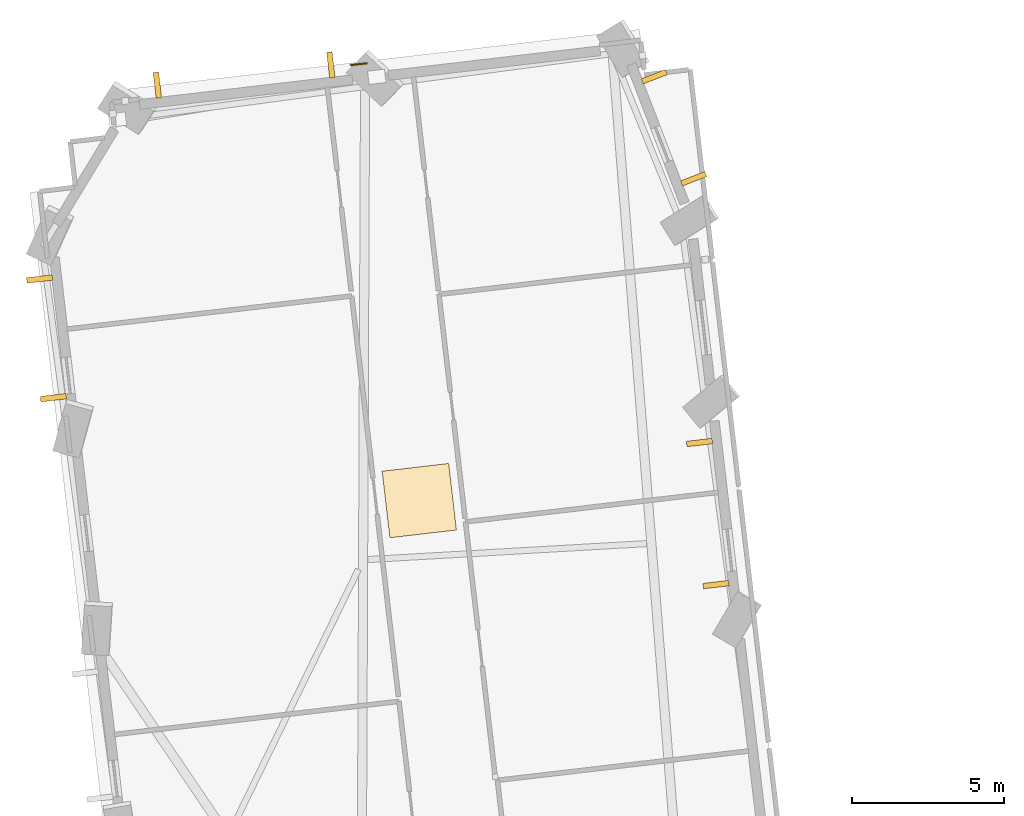
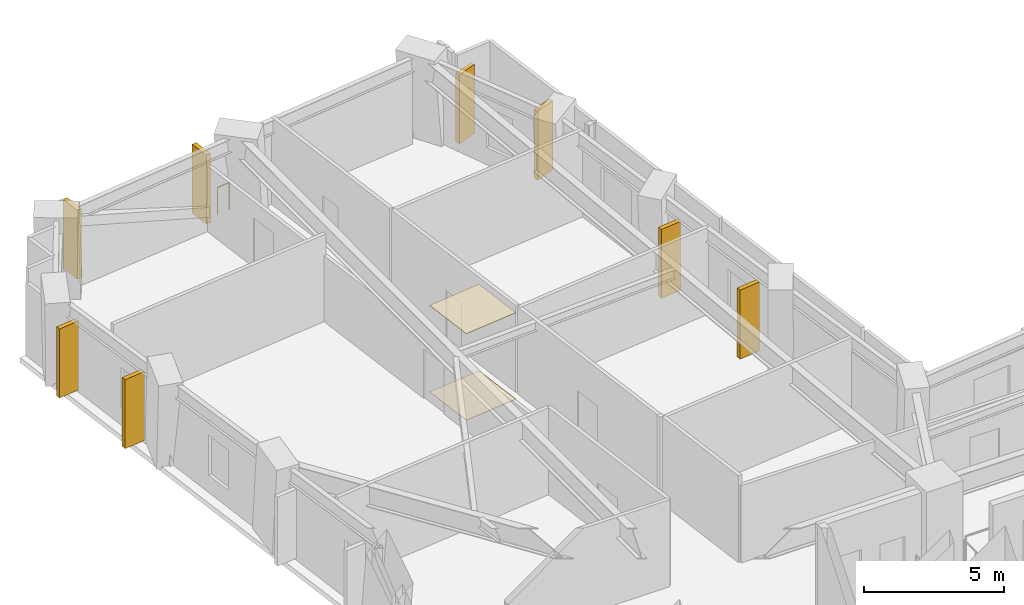
# One storey, part 14 of 14: 8 shading devices, 2 coverings, 1 railing.
"""IFC4 building model written with IfcOpenShell, lengths in metres."""

from ifc_helpers import new_model, si_unit, direction, frame, origin, origin_2d, place, context, subcontext, project, spatial, rectangle, circle, extrude, material, layer, layer_set, type_object, element, save


model = new_model("IFC4")

# Units and contexts
model_context = context("Model", 3, precision=1e-05, world=origin(), true_north=direction((0.0, 1.0)))
body_context = subcontext(model_context, "Body", "Model", "MODEL_VIEW")
ifc_project = project(units=[si_unit("LENGTHUNIT", "METRE"), si_unit("AREAUNIT", "SQUARE_METRE"), si_unit("VOLUMEUNIT", "CUBIC_METRE"), si_unit("PLANEANGLEUNIT", "RADIAN"), si_unit("MASSUNIT", "GRAM", prefix="KILO")], contexts=[model_context])

# Site, building, storey
site_placement = place(None, origin())
site = spatial("IfcSite", under=ifc_project, at=site_placement, CompositionType="ELEMENT")
building_placement = place(site_placement, origin())
building = spatial("IfcBuilding", under=site, at=building_placement, Name="Gaonmaruhae Medical Tower", CompositionType="ELEMENT")
storey_placement = place(building_placement, frame((0.0, 0.0, 51.0)))
storey = spatial("IfcBuildingStorey", under=building, at=storey_placement, Name="L11", CompositionType="ELEMENT", Elevation=51.0)

# Coverings
ifc_material_1 = material(Name="Acoustic mineral ceiling tile", Category="finish")
ifc_layer_1 = layer(ifc_material_1, 0.02490234375)
ifc_layer_set_1 = layer_set([ifc_layer_1], Name="Acoustic mineral ceiling tile")
covering_type_1 = type_object("IfcCoveringType", Name="CLG-01 Antimicrobial Acoustic Mineral Ceiling", PredefinedType="CEILING", material=ifc_layer_set_1)
covering_1_placement = place(storey_placement, frame((15.90771484375, 34.283203125, 3.755126953125), z_axis=(0.0, 0.0, 1.0), x_axis=(0.993272085779, 0.115803987891, 0.0)))
element("IfcCovering", 1, at=covering_1_placement, inside=storey, type_object=covering_type_1, Name="L11 Clinical Corridor Acoustic Ceiling", PredefinedType="CEILING", context=body_context, shape_type="SweptSolid", body=[
    extrude(rectangle(XDim=2.199951171875, YDim=2.199951171875, at=origin_2d()), origin(), (0.0, 0.0, 1.0), 0.02490234375),
])
ifc_material_2 = material(Name="Seamless clinical vinyl flooring", Category="finish")
ifc_layer_2 = layer(ifc_material_2, 0.014892578125)
ifc_layer_set_2 = layer_set([ifc_layer_2], Name="Seamless clinical vinyl flooring")
covering_type_2 = type_object("IfcCoveringType", Name="FLR-01 Seamless Clinical Antistatic Vinyl Flooring", PredefinedType="FLOORING", material=ifc_layer_set_2)
covering_2_placement = place(storey_placement, frame((15.90771484375, 34.283203125, 0.00048828125), z_axis=(0.0, 0.0, 1.0), x_axis=(0.993272085779, 0.115803987891, 0.0)))
element("IfcCovering", 2, at=covering_2_placement, inside=storey, type_object=covering_type_2, Name="L11 Clinical Corridor Vinyl Flooring", PredefinedType="FLOORING", context=body_context, shape_type="SweptSolid", body=[
    extrude(rectangle(XDim=2.199951171875, YDim=2.199951171875, at=origin_2d()), origin(), (0.0, 0.0, 1.0), 0.014892578125),
])

# Railing
ifc_material_3 = material(Name="Stainless steel 316L and laminated safety glass", Category="steel")
ifc_layer_3 = layer(ifc_material_3, 0.080078125)
ifc_layer_set_3 = layer_set([ifc_layer_3], Name="Stainless steel 316L and laminated safety glass")
railing_type = type_object("IfcRailingType", Name="GD-120 Outdoor Terrace Safety Glass & Steel Balustrade", PredefinedType="BALUSTRADE", material=ifc_layer_set_3)
railing_placement = place(storey_placement, frame((13.66748046875, 48.581787109375, 0.0)))
element("IfcRailing", 3, at=railing_placement, inside=storey, type_object=railing_type, Name="L11 Perimeter Slab Edge Safety Balustrade 02", PredefinedType="BALUSTRADE", context=body_context, shape_type="SweptSolid", body=[
    extrude(circle(Radius=0.02392578125, at=origin_2d()), frame((0.0, 0.0, 1.17578125), z_axis=(0.993294784379, 0.115609131674, 0.0), x_axis=(-0.115609131674, 0.993294784379, 0.0)), (0.0, 0.0, 1.0), 0.517333984375),
    extrude(circle(Radius=0.02099609375, at=origin_2d()), origin(), (0.0, 0.0, 1.0), 1.15185546875),
    extrude(circle(Radius=0.02099609375, at=origin_2d()), frame((0.513916015625, 0.059814453125, 0.0)), (0.0, 0.0, 1.0), 1.15185546875),
])

# Shading devices
ifc_material_4 = material(Name="Pigmented coral precast concrete C45/55", Category="concrete")
shading_device_type = type_object("IfcShadingDeviceType", Name="SD-FIN1 Tower Vertical Coral Precast Shading Fin", PredefinedType="USERDEFINED", material=ifc_material_4)
for number, where, z_axis, x_axis, name in (
    (4, (25.652587890625, 31.52587890625, 0.08251953125), (0.0, 0.0, 1.0), (-0.115803987891, 0.993272085779, 0.0), "L11 Vertical Coral Precast Shading Fin NE01"),
    (5, (25.10888671875, 36.190673828125, 0.08251953125), (0.0, 0.0, 1.0), (-0.115803987891, 0.993272085779, 0.0), "L11 Vertical Coral Precast Shading Fin NE01B"),
    (6, (23.625732421875, 48.200927734375, 0.08251953125), (0.0, 0.0, 1.0), (0.358873012687, -0.933386394139, 0.0), "L11 Vertical Coral Precast Shading Fin NE03"),
    (7, (24.913818359375, 44.850830078125, 0.08251953125), (0.0, 0.0, 1.0), (0.358873012687, -0.933386394139, 0.0), "L11 Vertical Coral Precast Shading Fin NE03B"),
    (8, (7.30810546875, 47.92578125, 0.08251953125), (0.0, 0.0, 1.0), (0.993270064467, 0.115821323742, 0.0), "L11 Vertical Coral Precast Shading Fin N02"),
    (9, (13.004150390625, 48.590087890625, 0.08251953125), (0.0, 0.0, 1.0), (0.993270064467, 0.115821323742, 0.0), "L11 Vertical Coral Precast Shading Fin N02B"),
    (10, (3.8955078125, 37.6630859375, 0.08251953125), (0.0, 0.0, 1.0), (-0.115786652005, 0.993274106789, 0.0), "L11 Vertical Coral Precast Shading Fin W01"),
    (11, (3.44140625, 41.559814453125, 0.08251953125), (0.0, 0.0, 1.0), (-0.115786652005, 0.993274106789, 0.0), "L11 Vertical Coral Precast Shading Fin W01B"),
):
    element("IfcShadingDevice", number, at=place(storey_placement, frame(where, z_axis=z_axis, x_axis=x_axis)), inside=storey, type_object=shading_device_type, Name=name, ObjectType="FIN", PredefinedType="USERDEFINED", context=body_context, shape_type="SweptSolid", body=[
        extrude(rectangle(XDim=0.179931640625, YDim=0.85009765625, at=origin_2d()), origin(), (0.0, 0.0, 1.0), 3.0),
    ])

save(model, "model.ifc")
